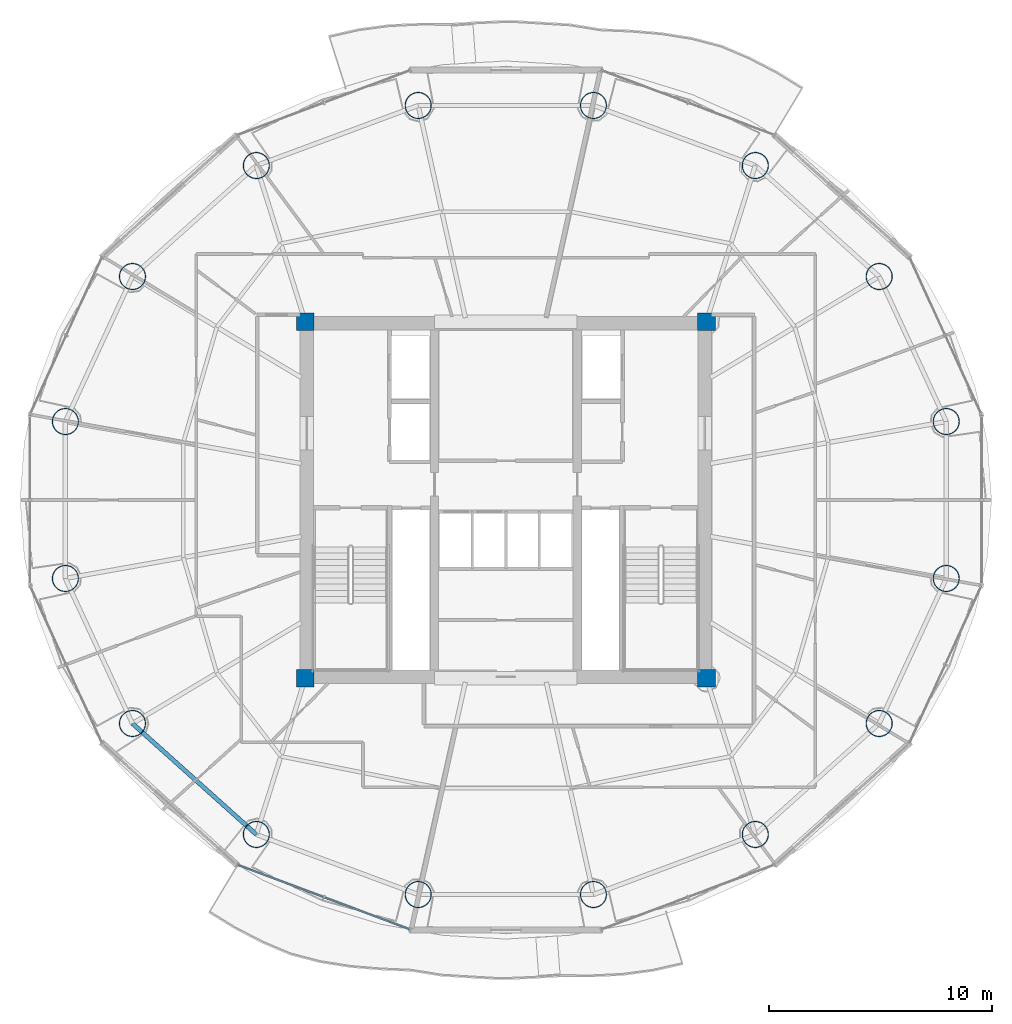
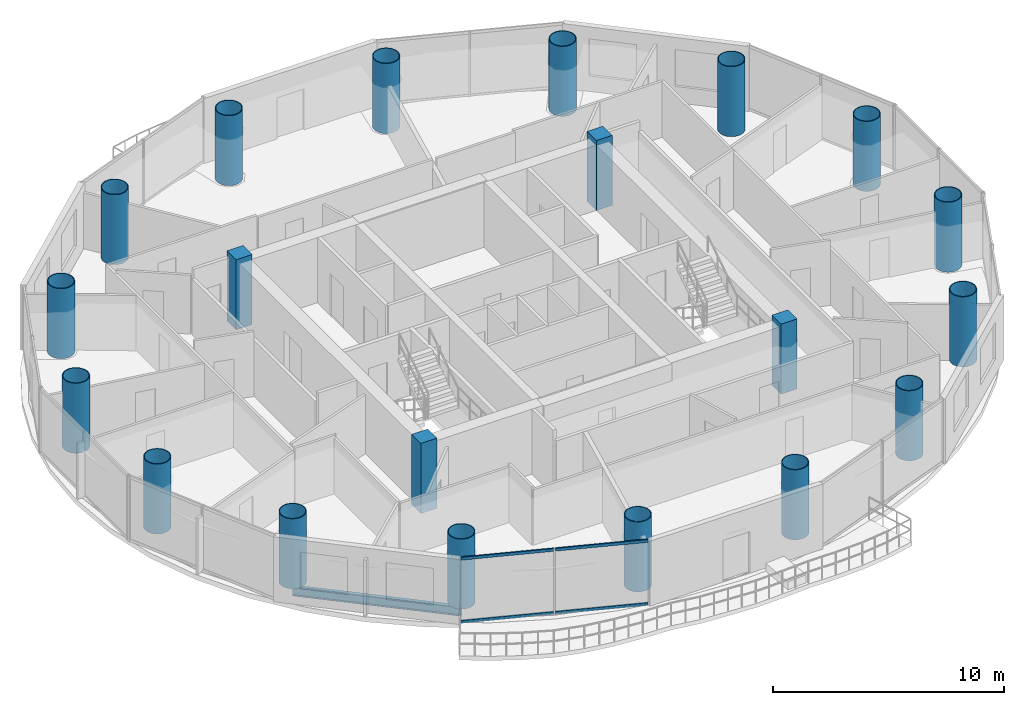
# One storey, part 1 of 26: 20 columns, 4 members, 1 beam, 1 element without a shape of its own.
"""IFC4 building model written with IfcOpenShell, lengths in metres."""

from ifc_helpers import new_model, si_unit, direction, frame, origin, origin_2d, place, context, subcontext, project, spatial, rectangle, hollow_rectangle, hollow_circle, i_section, extrude, source, transform, mapped, material, material_profile, profile_set, type_object, element, aggregate, save


model = new_model("IFC4")

# Units and contexts
model_context = context("Model", 3, precision=1e-05, world=origin(), true_north=direction((-0.2419218956, 0.970295726276)))
body_context = subcontext(model_context, "Body", "Model", "MODEL_VIEW")
ifc_project = project(units=[si_unit("LENGTHUNIT", "METRE"), si_unit("AREAUNIT", "SQUARE_METRE"), si_unit("VOLUMEUNIT", "CUBIC_METRE"), si_unit("PLANEANGLEUNIT", "RADIAN"), si_unit("MASSUNIT", "GRAM", prefix="KILO")], contexts=[model_context])

# Site, building, storey
site_placement = place(None, origin())
site = spatial("IfcSite", under=ifc_project, at=site_placement, CompositionType="ELEMENT")
building_placement = place(site_placement, origin())
building = spatial("IfcBuilding", under=site, at=building_placement, Name="Cobrevalo Terracotta Tower", CompositionType="ELEMENT")
storey_placement = place(building_placement, frame((0.0, 0.0, 231.89990234375)))
storey = spatial("IfcBuildingStorey", under=building, at=storey_placement, Name="L61", CompositionType="ELEMENT", Elevation=231.89990234375)

# Columns
ifc_material_1 = material(Name="Steel S355", Category="steel")
ifc_material_profile_1 = material_profile(ifc_material_1, hollow_circle(Radius=0.60009765625, WallThickness=0.0380859375, at=origin_2d()), Name="CHS 1200x38")
ifc_profile_set_1 = profile_set([ifc_material_profile_1], Name="Steel S355")
column_type_1 = type_object("IfcColumnType", Name="Structural Column CHS 1200x38 (Steel S355)", PredefinedType="COLUMN", material=ifc_profile_set_1)
for number, where, z_axis, x_axis, name in (
    (1, (57.762939453125, 30.3212890625, 0.0), (0.0, 0.0, 1.0), (1.0, 0.0, 0.0), "L61 composite megacolumn MC01"),
    (2, (54.754150390625, 36.828125, 0.0), (0.0, 0.0, 1.0), (1.0, 0.0, 0.0), "L61 composite megacolumn MC02"),
    (3, (49.19482421875, 41.80810546875, 0.0), (0.0, 0.0, 1.0), (1.0, 0.0, 0.0), "L61 composite megacolumn MC03"),
    (4, (41.93115234375, 44.503173828125, 0.0), (0.0, 0.0, 1.0), (1.0, 0.0, 0.0), "L61 composite megacolumn MC04"),
    (5, (34.06884765625, 44.503173828125, 0.0), (0.0, 0.0, 1.0), (1.0, 0.0, 0.0), "L61 composite megacolumn MC05"),
    (6, (26.80517578125, 41.80810546875, 0.0), (0.0, 0.0, 1.0), (1.0, 0.0, 0.0), "L61 composite megacolumn MC06"),
    (7, (21.245849609375, 36.828125, 0.0), (0.0, 0.0, 1.0), (1.0, 0.0, 0.0), "L61 composite megacolumn MC07"),
    (8, (18.237060546875, 30.3212890625, 0.0), (0.0, 0.0, 1.0), (1.0, 0.0, 0.0), "L61 composite megacolumn MC08"),
    (9, (18.237060546875, 23.278564453125, 0.0), (0.0, 0.0, 1.0), (1.0, 0.0, 0.0), "L61 composite megacolumn MC09"),
    (10, (21.245849609375, 16.77197265625, 0.0), (0.0, 0.0, 1.0), (1.0, 0.0, 0.0), "L61 composite megacolumn MC10"),
    (11, (26.80517578125, 11.7919921875, 0.0), (0.0, 0.0, 1.0), (1.0, 0.0, 0.0), "L61 composite megacolumn MC11"),
    (12, (34.06884765625, 9.096923828125, 0.0), (0.0, 0.0, 1.0), (1.0, 0.0, 0.0), "L61 composite megacolumn MC12"),
    (13, (41.93115234375, 9.096923828125, 0.0), (0.0, 0.0, 1.0), (1.0, 0.0, 0.0), "L61 composite megacolumn MC13"),
    (14, (49.19482421875, 11.7919921875, 0.0), (0.0, 0.0, 1.0), (1.0, 0.0, 0.0), "L61 composite megacolumn MC14"),
    (15, (54.754150390625, 16.77197265625, 0.0), (0.0, 0.0, 1.0), (1.0, 0.0, 0.0), "L61 composite megacolumn MC15"),
    (16, (57.762939453125, 23.278564453125, 0.0), (0.0, 0.0, 1.0), (1.0, 0.0, 0.0), "L61 composite megacolumn MC16"),
):
    element("IfcColumn", number, at=place(storey_placement, frame(where, z_axis=z_axis, x_axis=x_axis)), inside=storey, type_object=column_type_1, Name=name, PredefinedType="COLUMN", context=body_context, shape_type="SweptSolid", body=[
        extrude(hollow_circle(Radius=0.60009765625, WallThickness=0.0380859375, at=origin_2d()), origin(), (0.0, 0.0, 1.0), 3.7001953125),
    ])
ifc_material_2 = material(Name="Concrete C50", Category="concrete")
ifc_material_profile_2 = material_profile(ifc_material_2, rectangle(XDim=0.800048828125, YDim=0.800048828125, at=origin_2d()), Name="RC COL 800x800")
ifc_profile_set_2 = profile_set([ifc_material_profile_2], Name="Concrete C50")
column_type_2 = type_object("IfcColumnType", Name="Structural Column RC COL 800x800 (Concrete C50)", PredefinedType="COLUMN", material=ifc_profile_set_2)
for number, where, z_axis, x_axis, name in (
    (17, (29.0, 18.800048828125, 0.0), (0.0, 0.0, 1.0), (1.0, 0.0, 0.0), "L61 core corner column CC1"),
    (18, (47.0, 18.800048828125, 0.0), (0.0, 0.0, 1.0), (1.0, 0.0, 0.0), "L61 core corner column CC2"),
    (19, (47.0, 34.800048828125, 0.0), (0.0, 0.0, 1.0), (1.0, 0.0, 0.0), "L61 core corner column CC3"),
    (20, (29.0, 34.800048828125, 0.0), (0.0, 0.0, 1.0), (1.0, 0.0, 0.0), "L61 core corner column CC4"),
):
    element("IfcColumn", number, at=place(storey_placement, frame(where, z_axis=z_axis, x_axis=x_axis)), inside=storey, type_object=column_type_2, Name=name, PredefinedType="COLUMN", context=body_context, shape_type="SweptSolid", body=[
        extrude(rectangle(XDim=0.800048828125, YDim=0.800048828125, at=origin_2d()), origin(), (0.0, 0.0, 1.0), 3.7001953125),
    ])

# Beam
ifc_material_profile_3 = material_profile(ifc_material_1, i_section(OverallWidth=0.194091796875, OverallDepth=0.468994140625, WebThickness=0.011474609375, FlangeThickness=0.0205078125, at=origin_2d()), Name="W 460x106")
ifc_profile_set_3 = profile_set([ifc_material_profile_3], Name="Steel S355")
beam_type = type_object("IfcBeamType", Name="Structural Spandrel W 460x106 (Steel S355)", PredefinedType="SPANDREL", material=ifc_profile_set_3)
beam_placement = place(storey_placement, frame((21.245849609375, 16.77197265625, -0.49951171875), z_axis=(0.744851930997, -0.667229796165, 0.0), x_axis=(0.667229796165, 0.744851930997, 0.0)))
element("IfcBeam", 21, at=beam_placement, inside=storey, type_object=beam_type, Name="L61 perimeter ring spandrel 10", PredefinedType="SPANDREL", context=body_context, shape_type="SweptSolid", body=[
    extrude(i_section(OverallWidth=0.194091796875, OverallDepth=0.468994140625, WebThickness=0.011474609375, FlangeThickness=0.0205078125, at=origin_2d()), origin(), (0.0, 0.0, 1.0), 7.463623046875),
])

# Curtain wall, members
ifc_material_3 = material(Name="Anodized aluminium", Category="aluminium")
curtain_wall_type = type_object("IfcCurtainWallType", Name="Mid-tower high-wind unitised curtain wall CW-U2", PredefinedType="NOTDEFINED", material=ifc_material_3)
curtain_wall_placement = place(storey_placement, origin())
curtain_wall = element("IfcCurtainWall", 22, at=curtain_wall_placement, inside=storey, type_object=curtain_wall_type, Name="L61 curtain wall CW-L61-S11", PredefinedType="NOTDEFINED")
ifc_material_profile_4 = material_profile(ifc_material_3, hollow_rectangle(XDim=0.074951171875, YDim=0.14990234375, WallThickness=0.00439453125, at=origin_2d()), Name="CWT 75x150")
ifc_profile_set_4 = profile_set([ifc_material_profile_4], Name="Anodized aluminium")
member_type = type_object("IfcMemberType", Name="Tower unitised aluminium transom 75x150", PredefinedType="USERDEFINED", material=ifc_profile_set_4)
shared_shape_1 = source(origin(), body_context, "Body", "SweptSolid", [
    extrude(hollow_rectangle(XDim=0.074951171875, YDim=0.14990234375, WallThickness=0.00439453125, at=origin_2d()), origin(), (0.0, 0.0, 1.0), 4.069580078125),
])
member_1_placement = place(storey_placement, frame((25.980224609375, 10.4169921875, 0.050048828125), z_axis=(0.936548420649, -0.350538237259, 0.0), x_axis=(0.350538237259, 0.936548420649, 0.0)))
member_1 = element("IfcMember", 23, at=member_1_placement, type_object=member_type, Name="CW-L61-S11 transom B01-T1", ObjectType="TRANSOM", PredefinedType="USERDEFINED", context=body_context, shape_type="MappedRepresentation", body=[
    mapped(shared_shape_1, transform((0.0, 0.0, 0.0), scale=1.0)),
])
member_2_placement = place(storey_placement, frame((25.980224609375, 10.4169921875, 3.385009765625), z_axis=(0.936548420649, -0.350538237259, 0.0), x_axis=(0.350538237259, 0.936548420649, 0.0)))
member_2 = element("IfcMember", 24, at=member_2_placement, type_object=member_type, Name="CW-L61-S11 transom B01-T2", ObjectType="TRANSOM", PredefinedType="USERDEFINED", context=body_context, shape_type="MappedRepresentation", body=[
    mapped(shared_shape_1, transform((0.0, 0.0, 0.0), scale=1.0)),
])
shared_shape_2 = source(origin(), body_context, "Body", "SweptSolid", [
    extrude(hollow_rectangle(XDim=0.074951171875, YDim=0.14990234375, WallThickness=0.00439453125, at=origin_2d()), origin(), (0.0, 0.0, 1.0), 4.06982421875),
])
member_3_placement = place(storey_placement, frame((29.866455078125, 8.96240234375, 0.050048828125), z_axis=(0.936555791772, -0.350518542873, 0.0), x_axis=(0.350518542873, 0.936555791772, 0.0)))
member_3 = element("IfcMember", 25, at=member_3_placement, type_object=member_type, Name="CW-L61-S11 transom B02-T1", ObjectType="TRANSOM", PredefinedType="USERDEFINED", context=body_context, shape_type="MappedRepresentation", body=[
    mapped(shared_shape_2, transform((0.0, 0.0, 0.0), scale=1.0)),
])
member_4_placement = place(storey_placement, frame((29.866455078125, 8.96240234375, 3.385009765625), z_axis=(0.936555791772, -0.350518542873, 0.0), x_axis=(0.350518542873, 0.936555791772, 0.0)))
member_4 = element("IfcMember", 26, at=member_4_placement, type_object=member_type, Name="CW-L61-S11 transom B02-T2", ObjectType="TRANSOM", PredefinedType="USERDEFINED", context=body_context, shape_type="MappedRepresentation", body=[
    mapped(shared_shape_2, transform((0.0, 0.0, 0.0), scale=1.0)),
])
aggregate(curtain_wall, [member_1, member_2, member_3, member_4])

save(model, "model.ifc")
